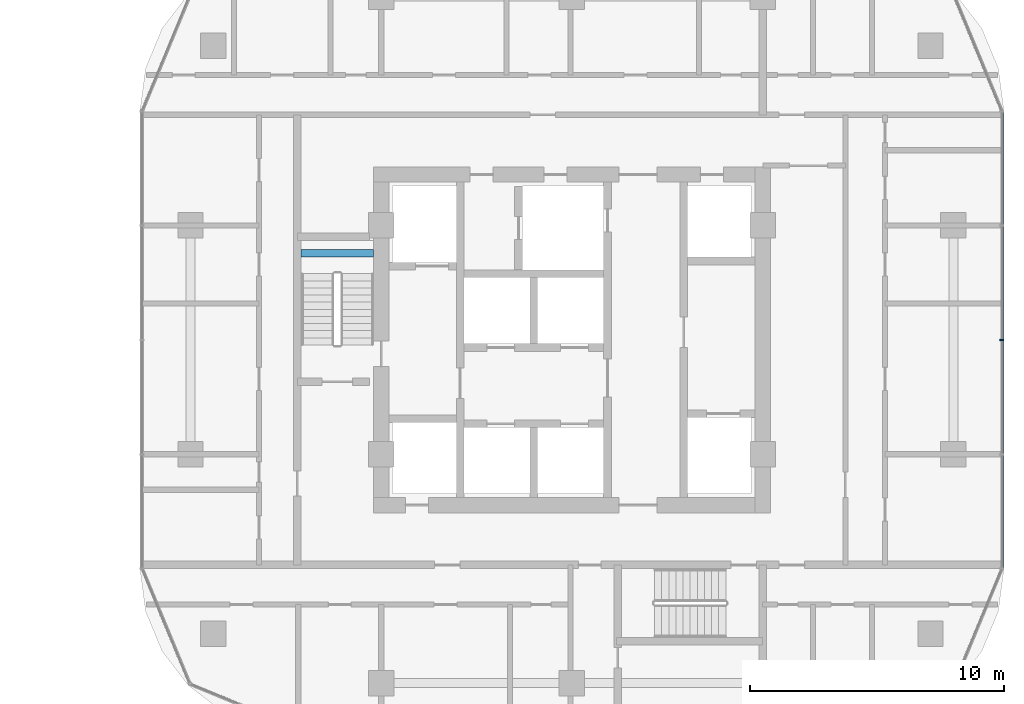
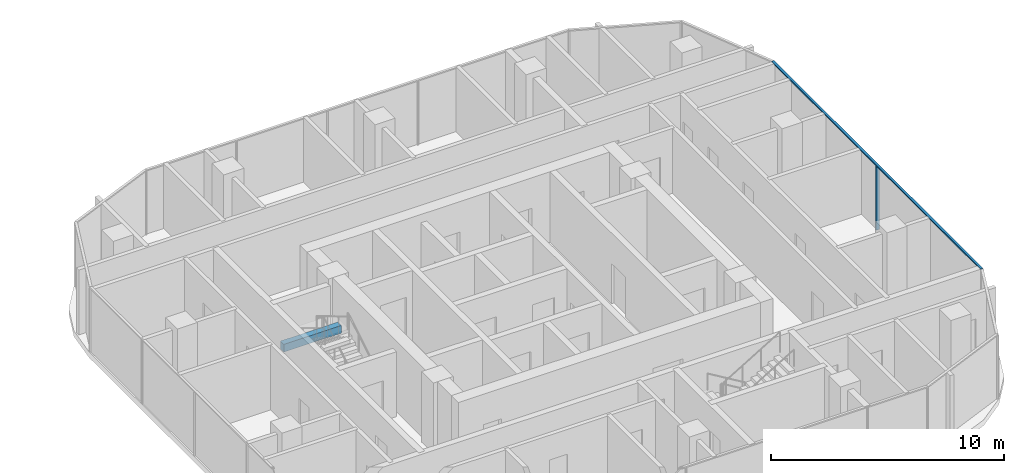
# One storey, part 11 of 32: 2 members, 1 beam, 1 element without a shape of its own.
"""IFC4 building model written with IfcOpenShell, lengths in metres."""

from ifc_helpers import new_model, si_unit, direction, frame, origin, origin_2d, place, context, subcontext, project, spatial, rectangle, extrude, material, material_profile, profile_set, type_object, element, aggregate, save


model = new_model("IFC4")

# Units and contexts
model_context = context("Model", 3, precision=1e-05, world=origin(), true_north=direction((0.0, 1.0)))
body_context = subcontext(model_context, "Body", "Model", "MODEL_VIEW")
ifc_project = project(units=[si_unit("LENGTHUNIT", "METRE"), si_unit("AREAUNIT", "SQUARE_METRE"), si_unit("VOLUMEUNIT", "CUBIC_METRE"), si_unit("PLANEANGLEUNIT", "RADIAN"), si_unit("MASSUNIT", "GRAM", prefix="KILO")], contexts=[model_context])

# Site, building, storey
site_placement = place(None, origin())
site = spatial("IfcSite", under=ifc_project, at=site_placement, CompositionType="ELEMENT")
building_placement = place(site_placement, origin())
building = spatial("IfcBuilding", under=site, at=building_placement, Name="Ogive Portal Towers", CompositionType="ELEMENT")
storey_placement = place(building_placement, frame((0.0, 0.0, 55.699951171875)))
storey = spatial("IfcBuildingStorey", under=building, at=storey_placement, Name="L12", CompositionType="ELEMENT", Elevation=55.699951171875)

# Beam
ifc_material_1 = material(Name="Concrete C40/50", Category="concrete")
ifc_material_profile_1 = material_profile(ifc_material_1, rectangle(XDim=0.300048828125, YDim=0.39990234375, at=origin_2d()), Name="RC 300x400")
ifc_profile_set_1 = profile_set([ifc_material_profile_1], Name="Concrete C40/50")
beam_type = type_object("IfcBeamType", Name="BEAM RC 300x400", PredefinedType="BEAM", material=ifc_profile_set_1)
beam_placement = place(storey_placement, frame((125.85009765625, 34.39990234375, 1.449951171875), z_axis=(1.0, 0.0, 0.0), x_axis=(0.0, 1.0, 0.0)))
element("IfcBeam", 1, at=beam_placement, inside=storey, type_object=beam_type, Name="Landing beam L12", PredefinedType="BEAM", context=body_context, shape_type="SweptSolid", body=[
    extrude(rectangle(XDim=0.300048828125, YDim=0.39990234375, at=origin_2d()), origin(), (0.0, 0.0, 1.0), 2.849853515625),
])

# Curtain wall, members
ifc_material_2 = material(Name="Glass, clear low-iron insulated glazing", Category="glass")
curtain_wall_type = type_object("IfcCurtainWallType", Name="CW RESIDENCES RIBBON", PredefinedType="NOTDEFINED", material=ifc_material_2)
curtain_wall_placement = place(storey_placement, origin())
curtain_wall = element("IfcCurtainWall", 2, at=curtain_wall_placement, inside=storey, type_object=curtain_wall_type, Name="B:L12:f05:cw0", PredefinedType="NOTDEFINED")
ifc_material_3 = material(Name="Aluminium 6063 anodised", Category="aluminium")
ifc_material_profile_2 = material_profile(ifc_material_3, rectangle(XDim=0.159912109375, YDim=0.06005859375, at=origin_2d()), Name="AL 60x160")
ifc_profile_set_2 = profile_set([ifc_material_profile_2], Name="Aluminium 6063 anodised")
member_type_1 = type_object("IfcMemberType", Name="CW MULLION 60x160", PredefinedType="MULLION", material=ifc_profile_set_2)
member_1_placement = place(storey_placement, frame((153.409912109375, 31.0, 0.0), z_axis=(0.0, 0.0, 1.0), x_axis=(-1.0, 0.0, 0.0)))
member_1 = element("IfcMember", 3, at=member_1_placement, type_object=member_type_1, Name="mullion", PredefinedType="MULLION", context=body_context, shape_type="SweptSolid", body=[
    extrude(rectangle(XDim=0.159912109375, YDim=0.06005859375, at=origin_2d()), origin(), (0.0, 0.0, 1.0), 3.340087890625),
])
ifc_material_profile_3 = material_profile(ifc_material_3, rectangle(XDim=0.1201171875, YDim=0.06005859375, at=origin_2d()), Name="AL 120x60")
ifc_profile_set_3 = profile_set([ifc_material_profile_3], Name="Aluminium 6063 anodised")
member_type_2 = type_object("IfcMemberType", Name="CW TRANSOM 60x120", PredefinedType="USERDEFINED", material=ifc_profile_set_3)
member_2_placement = place(storey_placement, frame((153.409912109375, 22.015869140625, 3.3701171875), z_axis=(0.0, 1.0, 0.0), x_axis=(-1.0, 0.0, 0.0)))
member_2 = element("IfcMember", 4, at=member_2_placement, type_object=member_type_2, Name="transom", ObjectType="TRANSOM", PredefinedType="USERDEFINED", context=body_context, shape_type="SweptSolid", body=[
    extrude(rectangle(XDim=0.1201171875, YDim=0.06005859375, at=origin_2d()), origin(), (0.0, 0.0, 1.0), 17.96826171875),
])
aggregate(curtain_wall, [member_2, member_1])

save(model, "model.ifc")
